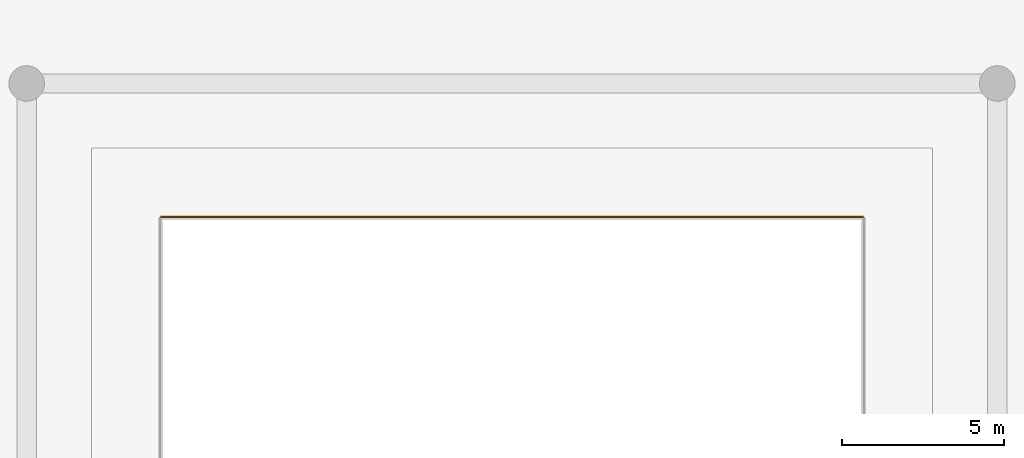
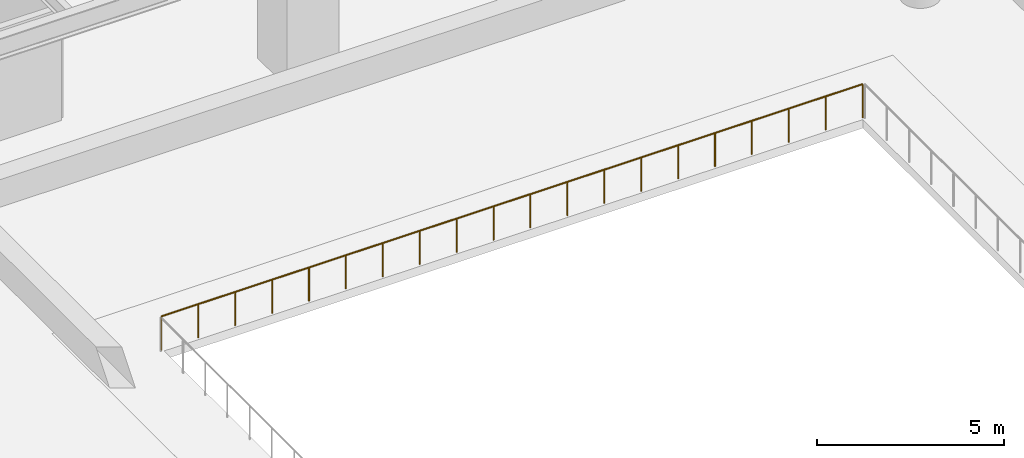
# One storey, part 30 of 32: 1 railing.
"""IFC4 building model written with IfcOpenShell, lengths in metres."""

import ifcopenshell
import ifcopenshell.guid

model = None  # the IFC model being written
_history = None  # IfcOwnerHistory: only IFC2X3 demands one
_inside = {}  # id of a spatial element -> (the spatial element, [elements in it])
_under = {}  # id of a project, library or spatial element -> (it, [spatial elements below it])
_declared = {}  # id of a project -> (the project, [libraries it declares])
_typed = {}  # id of a type object -> (the type object, [elements of that type])
_made_of = {}  # id of a material, layer set ... -> (it, [elements and type objects made of it])


def new_model(schema):
    """Start an empty IFC model of exactly this schema.

    Asked for "IFC4X3", IfcOpenShell would pick the latest addendum, in which some entities
    have other attributes; the version numbers below select the first issue.
    IFC2X3 requires an IfcOwnerHistory on every rooted entity: one is made here for all.
    """
    global model, _history
    if schema == "IFC4X3":
        model = ifcopenshell.file(schema_version=(4, 3, 0, 0))
    else:
        model = ifcopenshell.file(schema=schema)
    _inside.clear()
    _under.clear()
    _declared.clear()
    _typed.clear()
    _made_of.clear()
    _history = None
    if model.schema == "IFC2X3":
        org = make("IfcOrganization", Name="unknown")
        user = make(
            "IfcPersonAndOrganization",
            ThePerson=make("IfcPerson", FamilyName="unknown"),
            TheOrganization=org,
        )
        app = make(
            "IfcApplication",
            ApplicationDeveloper=org,
            Version="unknown",
            ApplicationFullName="unknown",
            ApplicationIdentifier="unknown",
        )
        _history = make(
            "IfcOwnerHistory",
            OwningUser=user,
            OwningApplication=app,
            ChangeAction="ADDED",
            CreationDate=0,
        )
    return model


def make(cls, **values):
    """One entity of the class cls with the attributes given. An attribute that is None is left unset."""
    return model.create_entity(
        cls, **{name: value for name, value in values.items() if value is not None}
    )


def rooted(cls, **values):
    """An entity with a GlobalId (a new one), such as an element, a storey or a relation."""
    return make(cls, GlobalId=ifcopenshell.guid.new(), OwnerHistory=_history, **values)


def si_unit(unit_type, name, prefix=None):
    """IfcSIUnit, for example si_unit("LENGTHUNIT", "METRE", prefix="MILLI")."""
    return make("IfcSIUnit", UnitType=unit_type, Prefix=prefix, Name=name)


def assignment(units):
    """IfcUnitAssignment: the units of a project."""
    return None if units is None else make("IfcUnitAssignment", Units=units)


def point(xyz):
    """IfcCartesianPoint."""
    return None if xyz is None else make("IfcCartesianPoint", Coordinates=xyz)


def direction(xyz):
    """IfcDirection."""
    return None if xyz is None else make("IfcDirection", DirectionRatios=xyz)


def frame(location, z_axis=None, x_axis=None):
    """IfcAxis2Placement3D, a coordinate frame: its origin and axes. An axis left out is left unset."""
    return make(
        "IfcAxis2Placement3D",
        Location=point(location),
        Axis=direction(z_axis),
        RefDirection=direction(x_axis),
    )


def frame_2d(location, x_axis=None):
    """IfcAxis2Placement2D, a coordinate frame in the plane: its origin and x axis."""
    return make(
        "IfcAxis2Placement2D", Location=point(location), RefDirection=direction(x_axis)
    )


def origin():
    """The frame at (0, 0, 0) with its axes left unset."""
    return frame((0.0, 0.0, 0.0))


def origin_2d():
    """The frame at (0, 0) in the plane with its x axis left unset."""
    return frame_2d((0.0, 0.0))


def place(relative_to, where):
    """IfcLocalPlacement: puts the frame where relative to a parent placement (None: the world)."""
    return make(
        "IfcLocalPlacement", PlacementRelTo=relative_to, RelativePlacement=where
    )


def context(
    kind, dimensions, precision=None, world=None, true_north=None, identifier=None
):
    """IfcGeometricRepresentationContext, for example the 3D "Model" context."""
    return make(
        "IfcGeometricRepresentationContext",
        ContextIdentifier=identifier,
        ContextType=kind,
        CoordinateSpaceDimension=dimensions,
        Precision=precision,
        WorldCoordinateSystem=world,
        TrueNorth=true_north,
    )


def subcontext(parent, identifier, kind, view, scale=None):
    """IfcGeometricRepresentationSubContext, for example "Body" below "Model"."""
    return make(
        "IfcGeometricRepresentationSubContext",
        ContextIdentifier=identifier,
        ContextType=kind,
        ParentContext=parent,
        TargetScale=scale,
        TargetView=view,
    )


def project(units=None, contexts=None):
    """IfcProject with its units and contexts."""
    return rooted(
        "IfcProject",
        Name="project",
        RepresentationContexts=contexts,
        UnitsInContext=assignment(units),
    )


def spatial(cls, under=None, at=None, **own):
    """A site, building, storey or space (cls), placed at a placement, below another one or the project."""
    s = rooted(cls, ObjectPlacement=at, **own)
    if under is not None:
        _under.setdefault(under.id(), (under, []))[1].append(s)
    return s


def profile(cls, at=None, kind="AREA", **sizes):
    """A parametric profile (cls). Its sizes go by their IFC names, for example OverallWidth=200.0."""
    return make(cls, ProfileType=kind, Position=at, **sizes)


def circle(**sizes):
    """IfcCircleProfileDef."""
    return profile("IfcCircleProfileDef", **sizes)


def extrude(swept, where, along, depth):
    """IfcExtrudedAreaSolid: the profile swept, set in the frame where, extruded along a direction by depth."""
    return make(
        "IfcExtrudedAreaSolid",
        SweptArea=swept,
        Position=where,
        ExtrudedDirection=direction(along),
        Depth=depth,
    )


def shape(context_of_items, identifier, shape_type, items):
    """IfcShapeRepresentation: the items that make up one representation, for example the "Body"."""
    return make(
        "IfcShapeRepresentation",
        ContextOfItems=context_of_items,
        RepresentationIdentifier=identifier,
        RepresentationType=shape_type,
        Items=items,
    )


def material(Name=None, Category=None):
    """IfcMaterial."""
    return make("IfcMaterial", Name=Name, Category=Category)


def made_of(thing, what):
    """Note that an element or type object is made of a material, layer set ...; save() writes the relation."""
    if what is not None:
        _made_of.setdefault(what.id(), (what, []))[1].append(thing)
    return thing


def type_object(cls, material=None, **own):
    """A type object (cls), such as IfcWallType, which elements share."""
    return made_of(rooted(cls, **own), material)


def element(
    cls,
    number,
    at=None,
    inside=None,
    cuts=None,
    type_object=None,
    material=None,
    context=None,
    identifier="Body",
    shape_type=None,
    held_by="IfcProductDefinitionShape",
    body=None,
    shapes=None,
    **own,
):
    """One element of the class cls, such as IfcWall. Its Tag is "e" and its number.

    at: its placement. inside: the storey or other place that contains it. cuts: it is an
    opening in that element (IfcRelVoidsElement). A single representation is given by context,
    identifier, shape_type and body (its items); several are given by shapes. held_by: the class
    of the entity that holds the representations. save() writes the other relations.
    """
    e = rooted(cls, Tag="e%d" % number, ObjectPlacement=at, **own)
    if body is not None:
        shapes = [shape(context, identifier, shape_type, body)]
    if shapes is not None:
        e.Representation = make(held_by, Representations=shapes)
    if inside is not None:
        _inside.setdefault(inside.id(), (inside, []))[1].append(e)
    if cuts is not None:
        rooted(
            "IfcRelVoidsElement", RelatingBuildingElement=cuts, RelatedOpeningElement=e
        )
    if type_object is not None:
        _typed.setdefault(type_object.id(), (type_object, []))[1].append(e)
    return made_of(e, material)


def aggregate(whole, parts):
    """IfcRelAggregates: a whole, such as a stair, and the parts it consists of."""
    return rooted("IfcRelAggregates", RelatingObject=whole, RelatedObjects=parts)


def save(model, path):
    """Write the relations noted so far, then the file.

    IfcRelAggregates (storeys below a building ...), IfcRelContainedInSpatialStructure (elements
    in a storey), IfcRelDefinesByType, IfcRelAssociatesMaterial and IfcRelDeclares: one each for
    every whole, place, type object, material and project.
    """
    for whole, parts in _under.values():
        aggregate(whole, parts)
    for where, things in _inside.values():
        rooted(
            "IfcRelContainedInSpatialStructure",
            RelatedElements=things,
            RelatingStructure=where,
        )
    for kind, things in _typed.values():
        rooted("IfcRelDefinesByType", RelatedObjects=things, RelatingType=kind)
    for what, things in _made_of.values():
        rooted("IfcRelAssociatesMaterial", RelatedObjects=things, RelatingMaterial=what)
    for by, libraries in _declared.values():
        rooted("IfcRelDeclares", RelatingContext=by, RelatedDefinitions=libraries)
    model.write(path)


model = new_model("IFC4")

# Units and contexts
model_context = context("Model", 3, precision=1e-05, world=origin(), true_north=direction((0.0, 1.0)))
body_context = subcontext(model_context, "Body", "Model", "MODEL_VIEW")
ifc_project = project(units=[si_unit("LENGTHUNIT", "METRE"), si_unit("AREAUNIT", "SQUARE_METRE"), si_unit("VOLUMEUNIT", "CUBIC_METRE"), si_unit("PLANEANGLEUNIT", "RADIAN"), si_unit("MASSUNIT", "GRAM", prefix="KILO")], contexts=[model_context])

# Site, building, storey
site_placement = place(None, origin())
site = spatial("IfcSite", under=ifc_project, at=site_placement, CompositionType="ELEMENT")
building_placement = place(site_placement, origin())
building = spatial("IfcBuilding", under=site, at=building_placement, Name="Narakoshi Arena Tower", CompositionType="ELEMENT")
storey_placement = place(building_placement, frame((0.0, 0.0, 4.5)))
storey = spatial("IfcBuildingStorey", under=building, at=storey_placement, Name="L01", CompositionType="ELEMENT", Elevation=4.5)

# Railing
ifc_material = material(Name="Clear low-iron laminated structural glass", Category="glass")
railing_type = type_object("IfcRailingType", Name="RL-BAL-1100", PredefinedType="BALUSTRADE", material=ifc_material)
railing_placement = place(storey_placement, frame((37.840087890625, 65.8798828125, 0.0)))
element("IfcRailing", 1, at=railing_placement, inside=storey, type_object=railing_type, Name="L01 Arena Bowl Tier Balustrade 3", PredefinedType="BALUSTRADE", context=body_context, shape_type="SweptSolid", body=[
    extrude(circle(Radius=0.02392578125, at=origin_2d()), frame((0.0, 0.0, 1.09619140625), z_axis=(-1.0, 0.0, 0.0), x_axis=(0.0, -1.0, 0.0)), (0.0, 0.0, 1.0), 21.68017578125),
    extrude(circle(Radius=0.02099609375, at=origin_2d()), origin(), (0.0, 0.0, 1.0), 1.072021484375),
    extrude(circle(Radius=0.02099609375, at=origin_2d()), frame((-1.14111328125, 0.0, 0.0)), (0.0, 0.0, 1.0), 1.072021484375),
    extrude(circle(Radius=0.02099609375, at=origin_2d()), frame((-2.2822265625, 0.0, 0.0)), (0.0, 0.0, 1.0), 1.072021484375),
    extrude(circle(Radius=0.02099609375, at=origin_2d()), frame((-3.423095703125, 0.0, 0.0)), (0.0, 0.0, 1.0), 1.072021484375),
    extrude(circle(Radius=0.02099609375, at=origin_2d()), frame((-4.564208984375, 0.0, 0.0)), (0.0, 0.0, 1.0), 1.072021484375),
    extrude(circle(Radius=0.02099609375, at=origin_2d()), frame((-5.705322265625, 0.0, 0.0)), (0.0, 0.0, 1.0), 1.072021484375),
    extrude(circle(Radius=0.02099609375, at=origin_2d()), frame((-6.846435546875, 0.0, 0.0)), (0.0, 0.0, 1.0), 1.072021484375),
    extrude(circle(Radius=0.02099609375, at=origin_2d()), frame((-7.987548828125, 0.0, 0.0)), (0.0, 0.0, 1.0), 1.072021484375),
    extrude(circle(Radius=0.02099609375, at=origin_2d()), frame((-9.12841796875, 0.0, 0.0)), (0.0, 0.0, 1.0), 1.072021484375),
    extrude(circle(Radius=0.02099609375, at=origin_2d()), frame((-10.26953125, 0.0, 0.0)), (0.0, 0.0, 1.0), 1.072021484375),
    extrude(circle(Radius=0.02099609375, at=origin_2d()), frame((-11.41064453125, 0.0, 0.0)), (0.0, 0.0, 1.0), 1.072021484375),
    extrude(circle(Radius=0.02099609375, at=origin_2d()), frame((-12.5517578125, 0.0, 0.0)), (0.0, 0.0, 1.0), 1.072021484375),
    extrude(circle(Radius=0.02099609375, at=origin_2d()), frame((-13.692626953125, 0.0, 0.0)), (0.0, 0.0, 1.0), 1.072021484375),
    extrude(circle(Radius=0.02099609375, at=origin_2d()), frame((-14.833740234375, 0.0, 0.0)), (0.0, 0.0, 1.0), 1.072021484375),
    extrude(circle(Radius=0.02099609375, at=origin_2d()), frame((-15.974853515625, 0.0, 0.0)), (0.0, 0.0, 1.0), 1.072021484375),
    extrude(circle(Radius=0.02099609375, at=origin_2d()), frame((-17.115966796875, 0.0, 0.0)), (0.0, 0.0, 1.0), 1.072021484375),
    extrude(circle(Radius=0.02099609375, at=origin_2d()), frame((-18.257080078125, 0.0, 0.0)), (0.0, 0.0, 1.0), 1.072021484375),
    extrude(circle(Radius=0.02099609375, at=origin_2d()), frame((-19.39794921875, 0.0, 0.0)), (0.0, 0.0, 1.0), 1.072021484375),
    extrude(circle(Radius=0.02099609375, at=origin_2d()), frame((-20.5390625, 0.0, 0.0)), (0.0, 0.0, 1.0), 1.072021484375),
    extrude(circle(Radius=0.02099609375, at=origin_2d()), frame((-21.68017578125, 0.0, 0.0)), (0.0, 0.0, 1.0), 1.072021484375),
])

save(model, "model.ifc")
